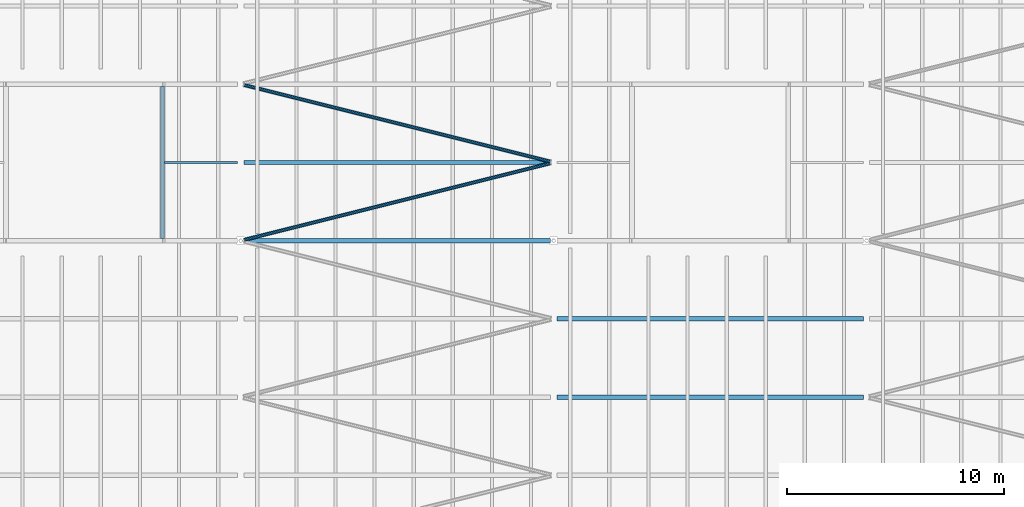
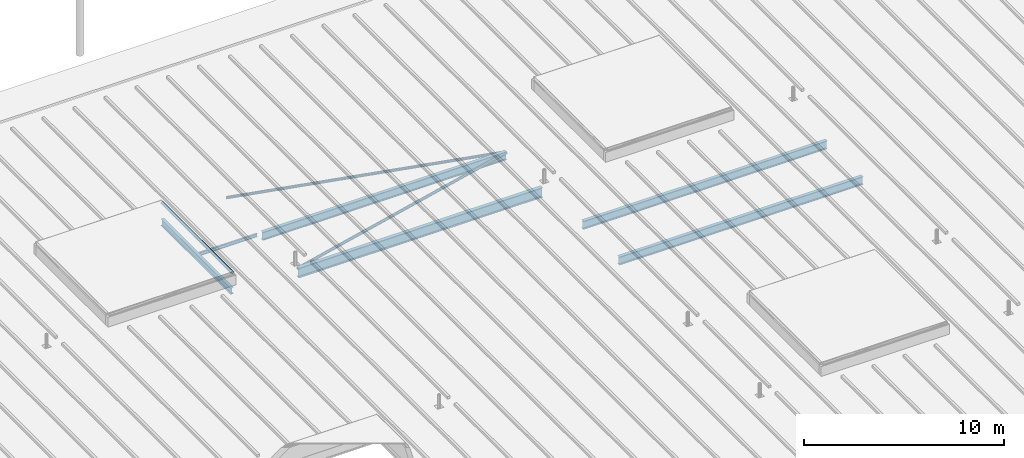
# One storey, part 49 of 120: 6 beams, 3 members.
"""IFC4 building model written with IfcOpenShell, lengths in metres."""

from ifc_helpers import new_model, si_unit, direction, frame, origin, origin_2d, place, context, subcontext, project, spatial, hollow_circle, i_section, extrude, material, material_profile, profile_set, type_object, element, save


model = new_model("IFC4")

# Units and contexts
model_context = context("Model", 3, precision=1e-05, world=origin(), true_north=direction((0.0, 1.0)))
body_context = subcontext(model_context, "Body", "Model", "MODEL_VIEW")
ifc_project = project(units=[si_unit("LENGTHUNIT", "METRE"), si_unit("AREAUNIT", "SQUARE_METRE"), si_unit("VOLUMEUNIT", "CUBIC_METRE"), si_unit("PLANEANGLEUNIT", "RADIAN"), si_unit("MASSUNIT", "GRAM", prefix="KILO")], contexts=[model_context])

# Site, building, storey
site_placement = place(None, origin())
site = spatial("IfcSite", under=ifc_project, at=site_placement, CompositionType="ELEMENT")
building_placement = place(site_placement, origin())
building = spatial("IfcBuilding", under=site, at=building_placement, Name="Kupolbacken Congress Centre", CompositionType="ELEMENT")
storey_placement = place(building_placement, frame((0.0, 0.0, 21.60009765625)))
storey = spatial("IfcBuildingStorey", under=building, at=storey_placement, Name="L06", CompositionType="ELEMENT", Elevation=21.60009765625)

# Beams
ifc_material_1 = material(Name="Steel S355", Category="steel")
ifc_material_profile_1 = material_profile(ifc_material_1, i_section(OverallWidth=0.10009765625, OverallDepth=0.199951171875, WebThickness=0.005615234375, FlangeThickness=0.008544921875, FilletRadius=0.011962890625, at=origin_2d()), Name="IPE 200")
ifc_profile_set_1 = profile_set([ifc_material_profile_1], Name="Steel S355")
beam_type_1 = type_object("IfcBeamType", Name="B01 beam IPE 200", PredefinedType="BEAM", material=ifc_profile_set_1)
beam_1_placement = place(storey_placement, frame((147.699951171875, 100.800048828125, -0.10009765625), z_axis=(1.0, 0.0, 0.0), x_axis=(0.0, 1.0, 0.0)))
element("IfcBeam", 1, at=beam_1_placement, inside=storey, type_object=beam_type_1, Name="HR/P16-04-1", PredefinedType="BEAM", context=body_context, shape_type="SweptSolid", body=[
    extrude(i_section(OverallWidth=0.10009765625, OverallDepth=0.199951171875, WebThickness=0.005615234375, FlangeThickness=0.008544921875, FilletRadius=0.011962890625, at=origin_2d()), origin(), (0.0, 0.0, 1.0), 3.35498046875),
])
ifc_material_2 = material(Name="Steel S355", Category="steel")
ifc_material_profile_2 = material_profile(ifc_material_2, i_section(OverallWidth=0.179931640625, OverallDepth=0.39990234375, WebThickness=0.008544921875, FlangeThickness=0.013427734375, FilletRadius=0.02099609375, at=origin_2d()), Name="IPE 400")
ifc_profile_set_2 = profile_set([ifc_material_profile_2], Name="Steel S355")
beam_type_2 = type_object("IfcBeamType", Name="B07 beam IPE 400", PredefinedType="BEAM", material=ifc_profile_set_2)
beam_2_placement = place(storey_placement, frame((147.60009765625, 97.300048828125, -0.2001953125), z_axis=(0.0, 1.0, 0.0), x_axis=(-1.0, 0.0, 0.0)))
element("IfcBeam", 2, at=beam_2_placement, inside=storey, type_object=beam_type_2, Name="HR/CT6E", PredefinedType="BEAM", context=body_context, shape_type="SweptSolid", body=[
    extrude(i_section(OverallWidth=0.179931640625, OverallDepth=0.39990234375, WebThickness=0.008544921875, FlangeThickness=0.013427734375, FilletRadius=0.02099609375, at=origin_2d()), origin(), (0.0, 0.0, 1.0), 7.0),
])
ifc_material_3 = material(Name="Steel S355", Category="steel")
ifc_material_profile_3 = material_profile(ifc_material_3, i_section(OverallWidth=0.199951171875, OverallDepth=0.5, WebThickness=0.01025390625, FlangeThickness=0.01611328125, FilletRadius=0.02099609375, at=origin_2d()), Name="IPE 500")
ifc_profile_set_3 = profile_set([ifc_material_profile_3], Name="Steel S355")
beam_type_3 = type_object("IfcBeamType", Name="B09 beam IPE 500", PredefinedType="BEAM", material=ifc_profile_set_3)
for number, where, z_axis, x_axis, name in (
    (3, (165.7451171875, 90.0, -0.25), (1.0, 0.0, 0.0), (0.0, 1.0, 0.0), "HR/P13-06"),
    (4, (165.7451171875, 93.60009765625, -0.25), (1.0, 0.0, 0.0), (0.0, 1.0, 0.0), "HR/P14-06"),
):
    element("IfcBeam", number, at=place(storey_placement, frame(where, z_axis=z_axis, x_axis=x_axis)), inside=storey, type_object=beam_type_3, Name=name, PredefinedType="BEAM", context=body_context, shape_type="SweptSolid", body=[
        extrude(i_section(OverallWidth=0.199951171875, OverallDepth=0.5, WebThickness=0.01025390625, FlangeThickness=0.01611328125, FilletRadius=0.02099609375, at=origin_2d()), origin(), (0.0, 0.0, 1.0), 14.10986328125),
    ])
beam_3_placement = place(storey_placement, frame((151.344970703125, 100.800048828125, -0.25), z_axis=(1.0, 0.0, 0.0), x_axis=(0.0, 1.0, 0.0)))
element("IfcBeam", 5, at=beam_3_placement, inside=storey, type_object=beam_type_3, Name="HR/P16-05", PredefinedType="BEAM", context=body_context, shape_type="SweptSolid", body=[
    extrude(i_section(OverallWidth=0.199951171875, OverallDepth=0.5, WebThickness=0.01025390625, FlangeThickness=0.01611328125, FilletRadius=0.02099609375, at=origin_2d()), origin(), (0.0, 0.0, 1.0), 14.110107421875),
])
ifc_material_4 = material(Name="Steel S355", Category="steel")
ifc_material_profile_4 = material_profile(ifc_material_4, i_section(OverallWidth=0.219970703125, OverallDepth=0.60009765625, WebThickness=0.011962890625, FlangeThickness=0.01904296875, FilletRadius=0.02392578125, at=origin_2d()), Name="IPE 600")
ifc_profile_set_4 = profile_set([ifc_material_profile_4], Name="Steel S355")
beam_type_4 = type_object("IfcBeamType", Name="B11 beam IPE 600", PredefinedType="BEAM", material=ifc_profile_set_4)
beam_4_placement = place(storey_placement, frame((151.344970703125, 97.199951171875, -0.300048828125), z_axis=(1.0, 0.0, 0.0), x_axis=(0.0, 1.0, 0.0)))
element("IfcBeam", 6, at=beam_4_placement, inside=storey, type_object=beam_type_4, Name="HR/X15-05", PredefinedType="BEAM", context=body_context, shape_type="SweptSolid", body=[
    extrude(i_section(OverallWidth=0.219970703125, OverallDepth=0.60009765625, WebThickness=0.011962890625, FlangeThickness=0.01904296875, FilletRadius=0.02392578125, at=origin_2d()), origin(), (0.0, 0.0, 1.0), 14.110107421875),
])

# Members
ifc_material_5 = material(Name="Steel S355", Category="steel")
ifc_material_profile_5 = material_profile(ifc_material_5, hollow_circle(Radius=0.084228515625, WallThickness=0.008056640625, at=origin_2d()), Name="CHS 168.3 x 8")
ifc_profile_set_5 = profile_set([ifc_material_profile_5], Name="Steel S355")
member_type = type_object("IfcMemberType", Name="M21 brace CHS 168.3 x 8", PredefinedType="BRACE", material=ifc_profile_set_5)
for number, where, z_axis, x_axis, name in (
    (7, (151.340576171875, 97.235107421875, -0.084228515625), (0.970140526498, 0.24254351949, 0.0), (-0.24254351949, 0.970140526498, 0.0), "HR/RB/05-15"),
    (8, (165.459228515625, 100.835205078125, -0.084228515625), (-0.970144473737, 0.242527730535, 0.0), (-0.242527730535, -0.970144473737, 0.0), "HR/RB/05-16"),
):
    element("IfcMember", number, at=place(storey_placement, frame(where, z_axis=z_axis, x_axis=x_axis)), inside=storey, type_object=member_type, Name=name, PredefinedType="BRACE", context=body_context, shape_type="SweptSolid", body=[
        extrude(hollow_circle(Radius=0.084228515625, WallThickness=0.008056640625, at=origin_2d()), origin(), (0.0, 0.0, 1.0), 14.55322265625),
    ])
member_placement = place(storey_placement, frame((147.60009765625, 97.274169921875, 0.944091796875), z_axis=(0.0, 1.0, 0.0), x_axis=(-1.0, 0.0, 0.0)))
element("IfcMember", 9, at=member_placement, inside=storey, type_object=member_type, Name="RD/RL6/FE", PredefinedType="BRACE", context=body_context, shape_type="SweptSolid", body=[
    extrude(hollow_circle(Radius=0.084228515625, WallThickness=0.008056640625, at=origin_2d()), origin(), (0.0, 0.0, 1.0), 7.0517578125),
])

save(model, "model.ifc")
